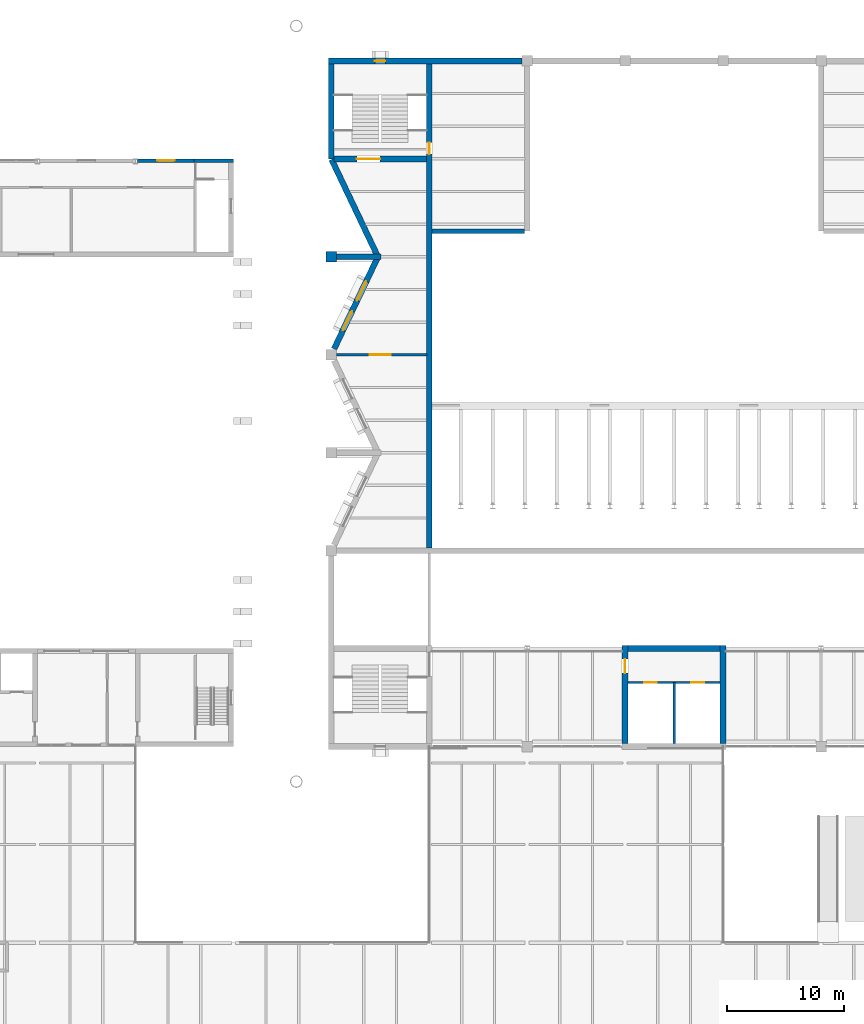
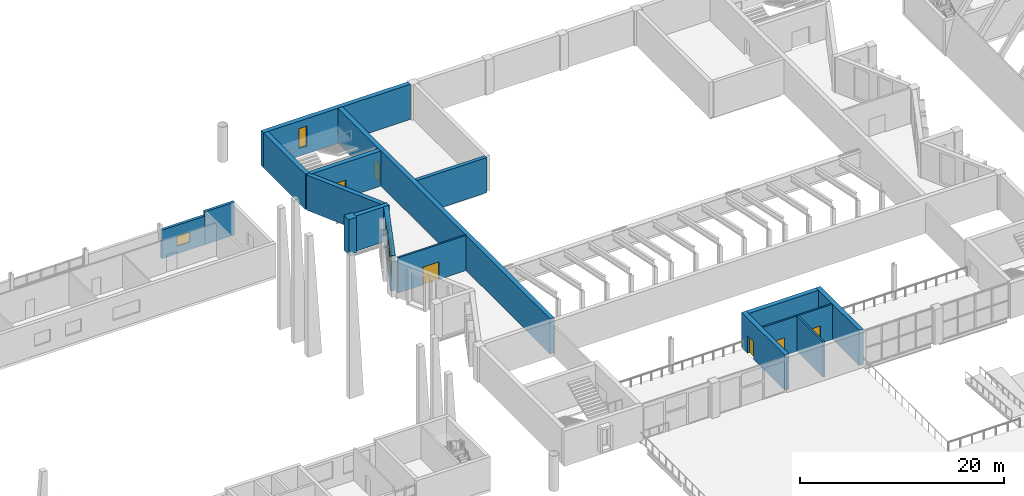
# One storey, part 66 of 96: 17 walls, 6 doors, 4 windows, 10 openings.
"""IFC4 building model written with IfcOpenShell, lengths in metres."""

from ifc_helpers import new_model, si_unit, direction, frame, frame_2d, origin, place, context, subcontext, project, spatial, rectangle, extrude, material, layer, layer_set, type_object, element, fill, save


model = new_model("IFC4")

# Units and contexts
model_context = context("Model", 3, precision=1e-05, world=origin(), true_north=direction((0.0, 1.0)))
body_context = subcontext(model_context, "Body", "Model", "MODEL_VIEW")
ifc_project = project(units=[si_unit("LENGTHUNIT", "METRE"), si_unit("AREAUNIT", "SQUARE_METRE"), si_unit("VOLUMEUNIT", "CUBIC_METRE"), si_unit("PLANEANGLEUNIT", "RADIAN"), si_unit("MASSUNIT", "GRAM", prefix="KILO")], contexts=[model_context])

# Site, building, storey
site_placement = place(None, origin())
site = spatial("IfcSite", under=ifc_project, at=site_placement, CompositionType="ELEMENT")
building_placement = place(site_placement, origin())
building = spatial("IfcBuilding", under=site, at=building_placement, Name="Cresset Court Congress Hotel", CompositionType="ELEMENT")
storey_placement = place(building_placement, frame((0.0, 0.0, 6.0)))
storey = spatial("IfcBuildingStorey", under=building, at=storey_placement, Name="L01", CompositionType="ELEMENT", Elevation=6.0)

# Wall, opening, door
ifc_material_1 = material(Name="Concrete C35", Category="concrete")
ifc_layer_1 = layer(ifc_material_1, 0.199951171875)
ifc_layer_set_1 = layer_set([ifc_layer_1], Name="Gallery cross wall 200")
wall_type_1 = type_object("IfcWallType", Name="Gallery cross wall 200", PredefinedType="PARTITIONING", material=ifc_layer_set_1)
wall_1_placement = place(storey_placement, frame((59.25, 92.39990234375, 0.0), z_axis=(0.0, 0.0, 1.0), x_axis=(1.0, 0.0, 0.0)))
wall_1 = element("IfcWall", 1, at=wall_1_placement, inside=storey, type_object=wall_type_1, Name="Wall CP-galWL01", PredefinedType="PARTITIONING", context=body_context, shape_type="SweptSolid", body=[
    extrude(rectangle(XDim=7.75, YDim=0.199951171875, at=frame_2d((3.875, 0.0))), origin(), (0.0, 0.0, 1.0), 4.199951171875),
])
opening_1_placement = place(wall_1_placement, frame((2.85009765625, 0.0, 0.0)))
opening_1 = element("IfcOpeningElement", 2, at=opening_1_placement, cuts=wall_1, Name="Opening DC-01-12", PredefinedType="OPENING", context=body_context, shape_type="SweptSolid", body=[
    extrude(rectangle(XDim=1.800048828125, YDim=2.10009765625, at=frame_2d((0.89990234375, 1.050048828125))), frame((0.0, 0.10986328125, 0.0), z_axis=(0.0, -1.0, 0.0), x_axis=(1.0, 0.0, 0.0)), (0.0, 0.0, 1.0), 0.219970703125),
])
ifc_material_2 = material(Name="Timber", Category="wood")
door_type_1 = type_object("IfcDoorType", Name="Double swing door 1800x2100 FD60", OperationType="DOUBLE_DOOR_DOUBLE_SWING", PredefinedType="DOOR", material=ifc_material_2)
door_1_placement = place(opening_1_placement, origin())
door_1 = element("IfcDoor", 3, at=door_1_placement, inside=storey, type_object=door_type_1, Name="Gallery door W", OperationType="DOUBLE_DOOR_DOUBLE_SWING", OverallHeight=2.10009765625, OverallWidth=1.800048828125, PredefinedType="DOOR", context=body_context, shape_type="SweptSolid", body=[
    extrude(rectangle(XDim=1.800048828125, YDim=2.10009765625, at=frame_2d((0.89990234375, 1.050048828125))), frame((0.0, 0.02490234375, 0.0), z_axis=(0.0, -1.0, 0.0), x_axis=(1.0, 0.0, 0.0)), (0.0, 0.0, 1.0), 0.050048828125),
])
fill(opening_1, door_1)

ifc_material_3 = material(Name="Concrete C50", Category="concrete")
ifc_layer_2 = layer(ifc_material_3, 0.5)
ifc_layer_set_2 = layer_set([ifc_layer_2], Name="Hall inner wall 500")
wall_type_2 = type_object("IfcWallType", Name="Hall inner wall 500", PredefinedType="SOLIDWALL", material=ifc_layer_set_2)
wall_2_placement = place(storey_placement, frame((67.199951171875, 75.85009765625, 0.0), z_axis=(0.0, 0.0, 1.0), x_axis=(0.0, 1.0, 0.0)))
wall_2 = element("IfcWall", 4, at=wall_2_placement, inside=storey, type_object=wall_type_2, Name="Wall CI-WL01", PredefinedType="SOLIDWALL", context=body_context, shape_type="SweptSolid", body=[
    extrude(rectangle(XDim=41.5, YDim=0.5, at=frame_2d((20.75, 0.0))), origin(), (0.0, 0.0, 1.0), 4.199951171875),
])
opening_2_placement = place(wall_2_placement, frame((33.75, 0.0, 0.0)))
opening_2 = element("IfcOpeningElement", 5, at=opening_2_placement, cuts=wall_2, Name="Opening DC-01-10", PredefinedType="OPENING", context=body_context, shape_type="SweptSolid", body=[
    extrude(rectangle(XDim=1.0, YDim=2.10009765625, at=frame_2d((0.5, 1.050048828125))), frame((0.0, 0.260009765625, 0.0), z_axis=(0.0, -1.0, 0.0), x_axis=(1.0, 0.0, 0.0)), (0.0, 0.0, 1.0), 0.52001953125),
])
ifc_material_4 = material(Name="Timber", Category="wood")
door_type_2 = type_object("IfcDoorType", Name="Single swing door 1000x2100", OperationType="SINGLE_SWING_LEFT", PredefinedType="DOOR", material=ifc_material_4)
door_2_placement = place(opening_2_placement, origin())
door_2 = element("IfcDoor", 6, at=door_2_placement, inside=storey, type_object=door_type_2, Name="Control room door", OperationType="SINGLE_SWING_LEFT", OverallHeight=2.10009765625, OverallWidth=1.0, PredefinedType="DOOR", context=body_context, shape_type="SweptSolid", body=[
    extrude(rectangle(XDim=1.0, YDim=2.10009765625, at=frame_2d((0.5, 1.050048828125))), frame((0.0, 0.02490234375, 0.0), z_axis=(0.0, -1.0, 0.0), x_axis=(1.0, 0.0, 0.0)), (0.0, 0.0, 1.0), 0.050048828125),
])
fill(opening_2, door_2)

wall_3_placement = place(storey_placement, frame((59.050048828125, 109.199951171875, 0.0), z_axis=(0.0, 0.0, 1.0), x_axis=(1.0, 0.0, 0.0)))
wall_3 = element("IfcWall", 7, at=wall_3_placement, inside=storey, type_object=wall_type_2, Name="Wall CC-C3SL01", PredefinedType="SOLIDWALL", context=body_context, shape_type="SweptSolid", body=[
    extrude(rectangle(XDim=7.89990234375, YDim=0.5, at=frame_2d((3.949951171875, 0.0))), origin(), (0.0, 0.0, 1.0), 4.199951171875),
])
opening_3_placement = place(wall_3_placement, frame((1.949951171875, 0.0, 0.0)))
opening_3 = element("IfcOpeningElement", 8, at=opening_3_placement, cuts=wall_3, Name="Opening DC-01-03", PredefinedType="OPENING", context=body_context, shape_type="SweptSolid", body=[
    extrude(rectangle(XDim=2.0, YDim=2.10009765625, at=frame_2d((1.0, 1.050048828125))), frame((0.0, 0.260009765625, 0.0), z_axis=(0.0, -1.0, 0.0), x_axis=(1.0, 0.0, 0.0)), (0.0, 0.0, 1.0), 0.52001953125),
])
ifc_material_5 = material(Name="Timber", Category="wood")
door_type_3 = type_object("IfcDoorType", Name="Double swing door 2000x2100 FD60", OperationType="DOUBLE_DOOR_DOUBLE_SWING", PredefinedType="DOOR", material=ifc_material_5)
door_3_placement = place(opening_3_placement, origin())
door_3 = element("IfcDoor", 9, at=door_3_placement, inside=storey, type_object=door_type_3, Name="Stair door ST-C3 L01", OperationType="DOUBLE_DOOR_DOUBLE_SWING", OverallHeight=2.10009765625, OverallWidth=2.0, PredefinedType="DOOR", context=body_context, shape_type="SweptSolid", body=[
    extrude(rectangle(XDim=2.0, YDim=2.10009765625, at=frame_2d((1.0, 1.050048828125))), frame((0.0, 0.02490234375, 0.0), z_axis=(0.0, -1.0, 0.0), x_axis=(1.0, 0.0, 0.0)), (0.0, 0.0, 1.0), 0.050048828125),
])
fill(opening_3, door_3)

# Wall
wall_4_placement = place(storey_placement, frame((92.39990234375, 59.050048828125, 0.0), z_axis=(0.0, 0.0, 1.0), x_axis=(0.0, 1.0, 0.0)))
element("IfcWall", 10, at=wall_4_placement, inside=storey, type_object=wall_type_2, Name="Wall CC-C1EL01", PredefinedType="SOLIDWALL", context=body_context, shape_type="SweptSolid", body=[
    extrude(rectangle(XDim=8.39990234375, YDim=0.5, at=frame_2d((4.199951171875, 0.0))), origin(), (0.0, 0.0, 1.0), 4.199951171875),
])

# Wall, opening, door
wall_5_placement = place(storey_placement, frame((84.0, 59.050048828125, 0.0), z_axis=(0.0, 0.0, 1.0), x_axis=(0.0, 1.0, 0.0)))
wall_5 = element("IfcWall", 11, at=wall_5_placement, inside=storey, type_object=wall_type_2, Name="Wall CC-C1WL01", PredefinedType="SOLIDWALL", context=body_context, shape_type="SweptSolid", body=[
    extrude(rectangle(XDim=8.39990234375, YDim=0.5, at=frame_2d((4.199951171875, 0.0))), origin(), (0.0, 0.0, 1.0), 4.199951171875),
])
opening_4_placement = place(wall_5_placement, frame((6.050048828125, 0.0, 0.0)))
opening_4 = element("IfcOpeningElement", 12, at=opening_4_placement, cuts=wall_5, Name="Opening DC-01-05", PredefinedType="OPENING", context=body_context, shape_type="SweptSolid", body=[
    extrude(rectangle(XDim=1.199951171875, YDim=2.10009765625, at=frame_2d((0.60009765625, 1.050048828125))), frame((0.0, 0.260009765625, 0.0), z_axis=(0.0, -1.0, 0.0), x_axis=(1.0, 0.0, 0.0)), (0.0, 0.0, 1.0), 0.52001953125),
])
ifc_material_6 = material(Name="Timber", Category="wood")
door_type_4 = type_object("IfcDoorType", Name="Single swing door 1200x2100 FD60", OperationType="SINGLE_SWING_LEFT", PredefinedType="DOOR", material=ifc_material_6)
door_4_placement = place(opening_4_placement, origin())
door_4 = element("IfcDoor", 13, at=door_4_placement, inside=storey, type_object=door_type_4, Name="Lift lobby door L01", OperationType="SINGLE_SWING_LEFT", OverallHeight=2.10009765625, OverallWidth=1.199951171875, PredefinedType="DOOR", context=body_context, shape_type="SweptSolid", body=[
    extrude(rectangle(XDim=1.199951171875, YDim=2.10009765625, at=frame_2d((0.60009765625, 1.050048828125))), frame((0.0, 0.02490234375, 0.0), z_axis=(0.0, -1.0, 0.0), x_axis=(1.0, 0.0, 0.0)), (0.0, 0.0, 1.0), 0.050048828125),
])
fill(opening_4, door_4)

# Wall
wall_6_placement = place(storey_placement, frame((84.25, 67.199951171875, 0.0), z_axis=(0.0, 0.0, 1.0), x_axis=(1.0, 0.0, 0.0)))
element("IfcWall", 14, at=wall_6_placement, inside=storey, type_object=wall_type_2, Name="Wall CC-C1NL01", PredefinedType="SOLIDWALL", context=body_context, shape_type="SweptSolid", body=[
    extrude(rectangle(XDim=7.89990234375, YDim=0.5, at=frame_2d((3.949951171875, 0.0))), origin(), (0.0, 0.0, 1.0), 4.199951171875),
])

# Wall, opening, window
ifc_material_7 = material(Name="Limestone-faced precast concrete C50", Category="masonry")
ifc_layer_3 = layer(ifc_material_7, 0.5)
ifc_layer_set_3 = layer_set([ifc_layer_3], Name="Hall perimeter wall 500")
wall_type_3 = type_object("IfcWallType", Name="Hall perimeter wall 500", PredefinedType="SOLIDWALL", material=ifc_layer_set_3)
wall_7_placement = place(storey_placement, frame((58.550048828125, 117.60009765625, 0.0), z_axis=(0.0, 0.0, 1.0), x_axis=(1.0, 0.0, 0.0)))
wall_7 = element("IfcWall", 15, at=wall_7_placement, inside=storey, type_object=wall_type_3, Name="Wall CW-NL01-5", PredefinedType="SOLIDWALL", context=body_context, shape_type="SweptSolid", body=[
    extrude(rectangle(XDim=16.599853515625, YDim=0.5, at=frame_2d((8.2998046875, 0.0))), origin(), (0.0, 0.0, 1.0), 4.199951171875),
])
opening_5_placement = place(wall_7_placement, frame((4.0, 0.0, 0.89990234375)))
opening_5 = element("IfcOpeningElement", 16, at=opening_5_placement, cuts=wall_7, Name="Opening NC-01-C3", PredefinedType="OPENING", context=body_context, shape_type="SweptSolid", body=[
    extrude(rectangle(XDim=0.89990234375, YDim=2.39990234375, at=frame_2d((0.449951171875, 1.199951171875))), frame((0.0, 0.260009765625, 0.0), z_axis=(0.0, -1.0, 0.0), x_axis=(1.0, 0.0, 0.0)), (0.0, 0.0, 1.0), 0.52001953125),
])
ifc_material_8 = material(Name="Aluminium and glass", Category="aluminium")
window_type_1 = type_object("IfcWindowType", Name="Fixed window 900x2400", PartitioningType="SINGLE_PANEL", PredefinedType="WINDOW", material=ifc_material_8)
window_1_placement = place(opening_5_placement, origin())
window_1 = element("IfcWindow", 17, at=window_1_placement, inside=storey, type_object=window_type_1, Name="Window NC-01-C3", OverallHeight=2.39990234375, OverallWidth=0.89990234375, PartitioningType="SINGLE_PANEL", PredefinedType="WINDOW", context=body_context, shape_type="SweptSolid", body=[
    extrude(rectangle(XDim=0.89990234375, YDim=2.39990234375, at=frame_2d((0.449951171875, 1.199951171875))), frame((0.0, 0.030029296875, 0.0), z_axis=(0.0, -1.0, 0.0), x_axis=(1.0, 0.0, 0.0)), (0.0, 0.0, 1.0), 0.06005859375),
])
fill(opening_5, window_1)

# Walls
wall_8_placement = place(storey_placement, frame((58.800048828125, 109.199951171875, 0.0), z_axis=(0.0, 0.0, 1.0), x_axis=(0.0, 1.0, 0.0)))
element("IfcWall", 18, at=wall_8_placement, inside=storey, type_object=wall_type_3, Name="Wall CW-WL01-1.1", PredefinedType="SOLIDWALL", context=body_context, shape_type="SweptSolid", body=[
    extrude(rectangle(XDim=8.150146484375, YDim=0.5, at=frame_2d((4.0751953125, 0.0))), origin(), (0.0, 0.0, 1.0), 4.199951171875),
])
wall_9_placement = place(storey_placement, frame((62.734619140625, 100.9375, 0.0), z_axis=(0.0, 0.0, 1.0), x_axis=(-0.429953375566, 0.902851092284, 0.0)))
element("IfcWall", 19, at=wall_9_placement, inside=storey, type_object=wall_type_3, Name="Wall CW-WL01-1.2", PredefinedType="SOLIDWALL", context=body_context, shape_type="SweptSolid", body=[
    extrude(rectangle(XDim=9.09619140625, YDim=0.5, at=frame_2d((4.548095703125, 0.0))), origin(), (0.0, 0.0, 1.0), 4.199951171875),
])

# Wall, openings, windows
wall_10_placement = place(storey_placement, frame((59.0380859375, 92.89990234375, 0.0), z_axis=(0.0, 0.0, 1.0), x_axis=(0.429934682616, 0.902859993955, 0.0)))
wall_10 = element("IfcWall", 20, at=wall_10_placement, inside=storey, type_object=wall_type_3, Name="Wall CW-WL01-2", PredefinedType="SOLIDWALL", context=body_context, shape_type="SweptSolid", body=[
    extrude(rectangle(XDim=8.597900390625, YDim=0.5, at=frame_2d((4.298828125, 0.0))), origin(), (0.0, 0.0, 1.0), 4.199951171875),
])
opening_6_placement = place(wall_10_placement, frame((4.6103515625, 0.0, 0.300048828125)))
opening_6 = element("IfcOpeningElement", 21, at=opening_6_placement, cuts=wall_10, Name="Opening NC-01-W0197", PredefinedType="OPENING", context=body_context, shape_type="SweptSolid", body=[
    extrude(rectangle(XDim=1.800048828125, YDim=3.60009765625, at=frame_2d((0.89990234375, 1.800048828125))), frame((0.0, 0.260009765625, 0.0), z_axis=(0.0, -1.0, 0.0), x_axis=(1.0, 0.0, 0.0)), (0.0, 0.0, 1.0), 0.52001953125),
])
opening_7_placement = place(wall_10_placement, frame((1.785888671875, 0.0, 0.300048828125)))
opening_7 = element("IfcOpeningElement", 22, at=opening_7_placement, cuts=wall_10, Name="Opening NC-01-W0222", PredefinedType="OPENING", context=body_context, shape_type="SweptSolid", body=[
    extrude(rectangle(XDim=1.800048828125, YDim=3.60009765625, at=frame_2d((0.89990234375, 1.800048828125))), frame((0.0, 0.260009765625, 0.0), z_axis=(0.0, -1.0, 0.0), x_axis=(1.0, 0.0, 0.0)), (0.0, 0.0, 1.0), 0.52001953125),
])
ifc_material_9 = material(Name="Aluminium and glass", Category="aluminium")
window_type_2 = type_object("IfcWindowType", Name="Fixed window 1800x3600", PartitioningType="SINGLE_PANEL", PredefinedType="WINDOW", material=ifc_material_9)
window_2_placement = place(opening_6_placement, origin())
window_2 = element("IfcWindow", 23, at=window_2_placement, inside=storey, type_object=window_type_2, Name="Window NC-01-W0197", OverallHeight=3.60009765625, OverallWidth=1.800048828125, PartitioningType="SINGLE_PANEL", PredefinedType="WINDOW", context=body_context, shape_type="SweptSolid", body=[
    extrude(rectangle(XDim=1.800048828125, YDim=3.60009765625, at=frame_2d((0.89990234375, 1.800048828125))), frame((0.0, 0.030029296875, 0.0), z_axis=(0.0, -1.0, 0.0), x_axis=(1.0, 0.0, 0.0)), (0.0, 0.0, 1.0), 0.06005859375),
])
fill(opening_6, window_2)
window_3_placement = place(opening_7_placement, origin())
window_3 = element("IfcWindow", 24, at=window_3_placement, inside=storey, type_object=window_type_2, Name="Window NC-01-W0222", OverallHeight=3.60009765625, OverallWidth=1.800048828125, PartitioningType="SINGLE_PANEL", PredefinedType="WINDOW", context=body_context, shape_type="SweptSolid", body=[
    extrude(rectangle(XDim=1.800048828125, YDim=3.60009765625, at=frame_2d((0.89990234375, 1.800048828125))), frame((0.0, 0.030029296875, 0.0), z_axis=(0.0, -1.0, 0.0), x_axis=(1.0, 0.0, 0.0)), (0.0, 0.0, 1.0), 0.06005859375),
])
fill(opening_7, window_3)

# Walls
wall_11_placement = place(storey_placement, frame((63.050048828125, 100.800048828125, 0.0), z_axis=(0.0, 0.0, 1.0), x_axis=(-1.0, 0.0, 0.0)))
element("IfcWall", 25, at=wall_11_placement, inside=storey, type_object=wall_type_3, Name="Wall CW-WL01-R1", PredefinedType="SOLIDWALL", context=body_context, shape_type="SweptSolid", body=[
    extrude(rectangle(XDim=3.800048828125, YDim=0.5, at=frame_2d((1.89990234375, 0.0))), origin(), (0.0, 0.0, 1.0), 4.199951171875),
])
ifc_material_10 = material(Name="Concrete C50", Category="concrete")
ifc_layer_4 = layer(ifc_material_10, 0.89990234375)
ifc_layer_set_4 = layer_set([ifc_layer_4], Name="Hall pilaster 900x900")
wall_type_4 = type_object("IfcWallType", Name="Hall pilaster 900x900", PredefinedType="SOLIDWALL", material=ifc_layer_set_4)
wall_12_placement = place(storey_placement, frame((58.800048828125, 101.25, 0.0), z_axis=(0.0, 0.0, 1.0), x_axis=(0.0, -1.0, 0.0)))
element("IfcWall", 26, at=wall_12_placement, inside=storey, type_object=wall_type_4, Name="Pilaster P-W1", PredefinedType="SOLIDWALL", context=body_context, shape_type="SweptSolid", body=[
    extrude(rectangle(XDim=0.89990234375, YDim=0.89990234375, at=frame_2d((0.449951171875, 0.0))), origin(), (0.0, 0.0, 1.0), 4.199951171875),
])
ifc_material_11 = material(Name="Concrete C50", Category="concrete")
ifc_layer_5 = layer(ifc_material_11, 0.39990234375)
ifc_layer_set_5 = layer_set([ifc_layer_5], Name="Hall stage wall 400")
wall_type_5 = type_object("IfcWallType", Name="Hall stage wall 400", PredefinedType="SOLIDWALL", material=ifc_layer_set_5)
wall_13_placement = place(storey_placement, frame((67.449951171875, 103.0, 0.0), z_axis=(0.0, 0.0, 1.0), x_axis=(1.0, 0.0, 0.0)))
element("IfcWall", 27, at=wall_13_placement, inside=storey, type_object=wall_type_5, Name="Wall CW-1L01", PredefinedType="SOLIDWALL", context=body_context, shape_type="SweptSolid", body=[
    extrude(rectangle(XDim=7.925048828125, YDim=0.39990234375, at=frame_2d((3.96240234375, 0.0))), origin(), (0.0, 0.0, 1.0), 4.199951171875),
])
ifc_material_12 = material(Name="Concrete C35", Category="concrete")
ifc_layer_6 = layer(ifc_material_12, 0.199951171875)
ifc_layer_set_6 = layer_set([ifc_layer_6], Name="Lift shaft partition 200")
wall_type_6 = type_object("IfcWallType", Name="Lift shaft partition 200", PredefinedType="PARTITIONING", material=ifc_layer_set_6)
wall_14_placement = place(storey_placement, frame((88.199951171875, 59.050048828125, 0.0), z_axis=(0.0, 0.0, 1.0), x_axis=(0.0, 1.0, 0.0)))
element("IfcWall", 28, at=wall_14_placement, inside=storey, type_object=wall_type_6, Name="Wall CL-DL01", PredefinedType="PARTITIONING", context=body_context, shape_type="SweptSolid", body=[
    extrude(rectangle(XDim=5.25, YDim=0.199951171875, at=frame_2d((2.625, 0.0))), origin(), (0.0, 0.0, 1.0), 4.199951171875),
])

# Wall, openings, doors
wall_15_placement = place(storey_placement, frame((84.25, 64.300048828125, 0.0), z_axis=(0.0, 0.0, 1.0), x_axis=(1.0, 0.0, 0.0)))
wall_15 = element("IfcWall", 29, at=wall_15_placement, inside=storey, type_object=wall_type_6, Name="Wall CL-LL01", PredefinedType="PARTITIONING", context=body_context, shape_type="SweptSolid", body=[
    extrude(rectangle(XDim=7.89990234375, YDim=0.199951171875, at=frame_2d((3.949951171875, 0.0))), origin(), (0.0, 0.0, 1.0), 4.199951171875),
])
opening_8_placement = place(wall_15_placement, frame((1.375, 0.0, 0.0)))
opening_8 = element("IfcOpeningElement", 30, at=opening_8_placement, cuts=wall_15, Name="Opening LD-C1-02", PredefinedType="OPENING", context=body_context, shape_type="SweptSolid", body=[
    extrude(rectangle(XDim=1.10009765625, YDim=2.10009765625, at=frame_2d((0.550048828125, 1.050048828125))), frame((0.0, 0.10986328125, 0.0), z_axis=(0.0, -1.0, 0.0), x_axis=(1.0, 0.0, 0.0)), (0.0, 0.0, 1.0), 0.219970703125),
])
opening_9_placement = place(wall_15_placement, frame((5.425048828125, 0.0, 0.0)))
opening_9 = element("IfcOpeningElement", 31, at=opening_9_placement, cuts=wall_15, Name="Opening LD-C2-02", PredefinedType="OPENING", context=body_context, shape_type="SweptSolid", body=[
    extrude(rectangle(XDim=1.10009765625, YDim=2.10009765625, at=frame_2d((0.550048828125, 1.050048828125))), frame((0.0, 0.10986328125, 0.0), z_axis=(0.0, -1.0, 0.0), x_axis=(1.0, 0.0, 0.0)), (0.0, 0.0, 1.0), 0.219970703125),
])
ifc_material_13 = material(Name="Stainless steel", Category="steel")
door_type_5 = type_object("IfcDoorType", Name="Single sliding landing door 1100x2100 E 60", OperationType="SLIDING_TO_LEFT", PredefinedType="DOOR", material=ifc_material_13)
door_5_placement = place(opening_8_placement, origin())
door_5 = element("IfcDoor", 32, at=door_5_placement, inside=storey, type_object=door_type_5, Name="Landing door LD-C1 L01", OperationType="SLIDING_TO_LEFT", OverallHeight=2.10009765625, OverallWidth=1.10009765625, PredefinedType="DOOR", context=body_context, shape_type="SweptSolid", body=[
    extrude(rectangle(XDim=1.10009765625, YDim=2.10009765625, at=frame_2d((0.550048828125, 1.050048828125))), frame((0.0, 0.02490234375, 0.0), z_axis=(0.0, -1.0, 0.0), x_axis=(1.0, 0.0, 0.0)), (0.0, 0.0, 1.0), 0.050048828125),
])
fill(opening_8, door_5)
door_6_placement = place(opening_9_placement, origin())
door_6 = element("IfcDoor", 33, at=door_6_placement, inside=storey, type_object=door_type_5, Name="Landing door LD-C2 L01", OperationType="SLIDING_TO_LEFT", OverallHeight=2.10009765625, OverallWidth=1.10009765625, PredefinedType="DOOR", context=body_context, shape_type="SweptSolid", body=[
    extrude(rectangle(XDim=1.10009765625, YDim=2.10009765625, at=frame_2d((0.550048828125, 1.050048828125))), frame((0.0, 0.02490234375, 0.0), z_axis=(0.0, -1.0, 0.0), x_axis=(1.0, 0.0, 0.0)), (0.0, 0.0, 1.0), 0.050048828125),
])
fill(opening_9, door_6)

# Wall, opening, window
ifc_material_14 = material(Name="Precast concrete C50", Category="concrete")
ifc_layer_7 = layer(ifc_material_14, 0.300048828125)
ifc_layer_set_7 = layer_set([ifc_layer_7], Name="Precast external wall 300 C50")
wall_type_7 = type_object("IfcWallType", Name="Precast external wall 300 C50", PredefinedType="SOLIDWALL", material=ifc_layer_set_7)
wall_16_placement = place(storey_placement, frame((42.199951171875, 109.050048828125, 0.0), z_axis=(0.0, 0.0, 1.0), x_axis=(1.0, 0.0, 0.0)))
wall_16 = element("IfcWall", 34, at=wall_16_placement, inside=storey, type_object=wall_type_7, Name="North external wall L01 6", PredefinedType="SOLIDWALL", context=body_context, shape_type="SweptSolid", body=[
    extrude(rectangle(XDim=4.85009765625, YDim=0.300048828125, at=frame_2d((2.425048828125, 0.0))), origin(), (0.0, 0.0, 1.0), 3.419921875),
])
opening_10_placement = place(wall_16_placement, frame((1.675048828125, 0.0, 0.89990234375)))
opening_10 = element("IfcOpeningElement", 35, at=opening_10_placement, cuts=wall_16, Name="Opening ND-01-04", PredefinedType="OPENING", context=body_context, shape_type="SweptSolid", body=[
    extrude(rectangle(XDim=1.5, YDim=1.199951171875, at=frame_2d((0.75, 0.60009765625))), frame((0.0, 0.159912109375, 0.0), z_axis=(0.0, -1.0, 0.0), x_axis=(1.0, 0.0, 0.0)), (0.0, 0.0, 1.0), 0.320068359375),
])
ifc_material_15 = material(Name="Aluminium frame with insulated glass", Category="aluminium")
window_type_3 = type_object("IfcWindowType", Name="Window 1500x1200", PartitioningType="SINGLE_PANEL", PredefinedType="WINDOW", material=ifc_material_15)
window_4_placement = place(opening_10_placement, origin())
window_4 = element("IfcWindow", 36, at=window_4_placement, inside=storey, type_object=window_type_3, Name="Window ND-01-04", OverallHeight=1.199951171875, OverallWidth=1.5, PartitioningType="SINGLE_PANEL", PredefinedType="WINDOW", context=body_context, shape_type="SweptSolid", body=[
    extrude(rectangle(XDim=1.5, YDim=1.199951171875, at=frame_2d((0.75, 0.60009765625))), frame((0.0, 0.030029296875, 0.0), z_axis=(0.0, -1.0, 0.0), x_axis=(1.0, 0.0, 0.0)), (0.0, 0.0, 1.0), 0.06005859375),
])
fill(opening_10, window_4)

# Wall
wall_17_placement = place(storey_placement, frame((47.050048828125, 109.050048828125, 0.0), z_axis=(0.0, 0.0, 1.0), x_axis=(1.0, 0.0, 0.0)))
element("IfcWall", 37, at=wall_17_placement, inside=storey, type_object=wall_type_7, Name="North external wall L01 7", PredefinedType="SOLIDWALL", context=body_context, shape_type="SweptSolid", body=[
    extrude(rectangle(XDim=3.349853515625, YDim=0.300048828125, at=frame_2d((1.6748046875, 0.0))), origin(), (0.0, 0.0, 1.0), 3.919921875),
])

save(model, "model.ifc")
